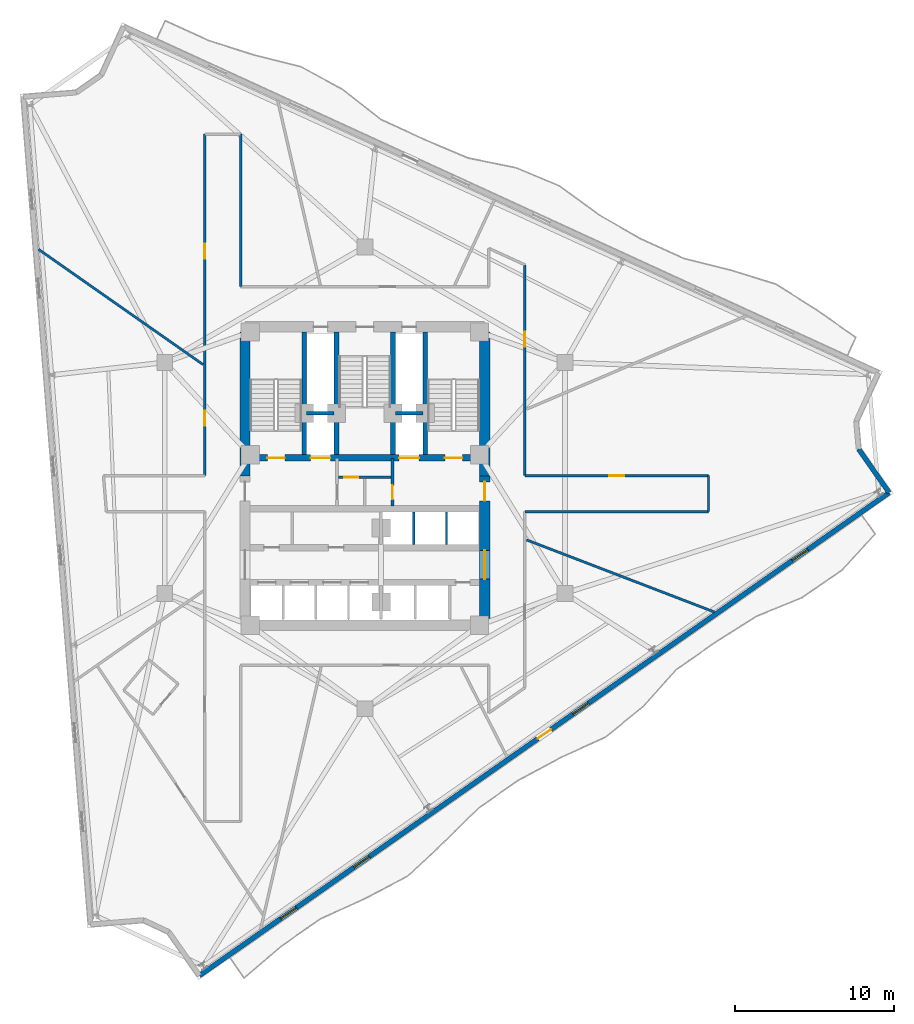
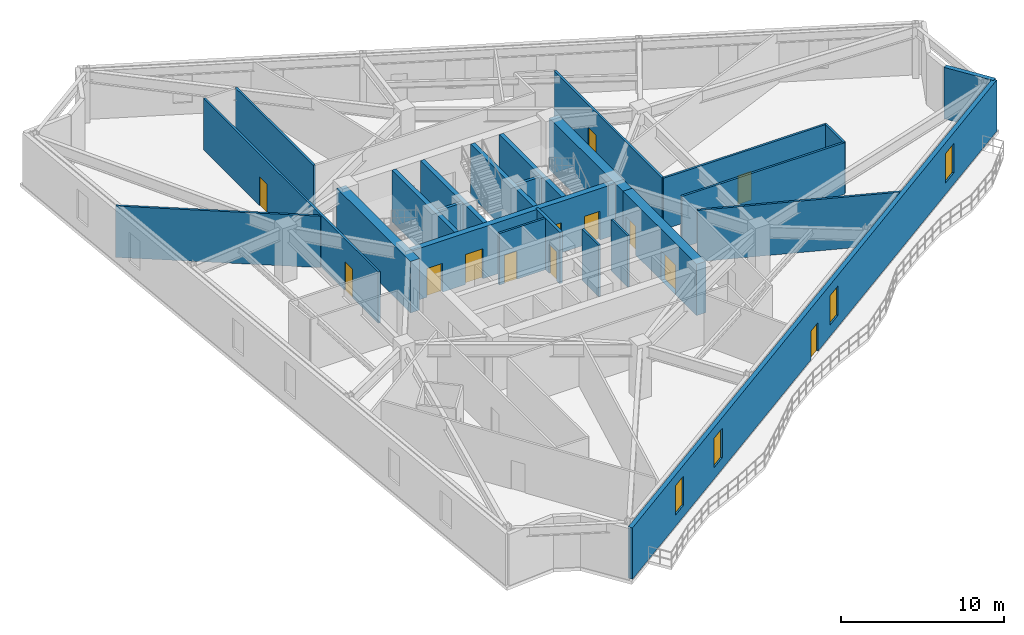
# One storey, part 6 of 10: 24 walls, 13 doors, 4 windows, 17 openings.
"""IFC4 building model written with IfcOpenShell, lengths in metres."""

from ifc_helpers import new_model, si_unit, direction, frame, frame_2d, origin, place, context, subcontext, project, spatial, rectangle, extrude, material, layer, layer_set, type_object, element, fill, save


model = new_model("IFC4")

# Units and contexts
model_context = context("Model", 3, precision=1e-05, world=origin(), true_north=direction((0.0, 1.0)))
body_context = subcontext(model_context, "Body", "Model", "MODEL_VIEW")
ifc_project = project(units=[si_unit("LENGTHUNIT", "METRE"), si_unit("AREAUNIT", "SQUARE_METRE"), si_unit("VOLUMEUNIT", "CUBIC_METRE"), si_unit("PLANEANGLEUNIT", "RADIAN"), si_unit("MASSUNIT", "GRAM", prefix="KILO")], contexts=[model_context])

# Site, building, storey
site_placement = place(None, origin())
site = spatial("IfcSite", under=ifc_project, at=site_placement, CompositionType="ELEMENT")
building_placement = place(site_placement, origin())
building = spatial("IfcBuilding", under=site, at=building_placement, Name="Apsidion Concourse Tower", CompositionType="ELEMENT")
storey_placement = place(building_placement, frame((0.0, 0.0, 210.60009765625)))
storey = spatial("IfcBuildingStorey", under=building, at=storey_placement, Name="L49", CompositionType="ELEMENT", Elevation=210.60009765625)

# Wall
ifc_material_1 = material(Name="Precast concrete C40/50", Category="concrete")
ifc_layer_1 = layer(ifc_material_1, 0.300048828125)
ifc_layer_set_1 = layer_set([ifc_layer_1], Name="Precast concrete C40/50")
wall_type_1 = type_object("IfcWallType", Name="WL-EXT-300", PredefinedType="STANDARD", material=ifc_layer_set_1)
wall_1_placement = place(storey_placement, frame((30.99951171875, 1.809814453125, 0.0), z_axis=(0.0, 0.0, 1.0), x_axis=(0.573550493689, -0.819170208925, 0.0)))
element("IfcWall", 1, at=wall_1_placement, inside=storey, type_object=wall_type_1, Name="L49 Precast Stone Facade Wall 04", PredefinedType="STANDARD", context=body_context, shape_type="SweptSolid", body=[
    extrude(rectangle(XDim=3.345703125, YDim=0.300048828125, at=frame_2d((1.6728515625, 0.0))), origin(), (0.0, 0.0, 1.0), 3.849853515625),
])

# Wall, openings, door, windows
wall_2_placement = place(storey_placement, frame((32.91845703125, -0.930908203125, 0.0), z_axis=(0.0, 0.0, 1.0), x_axis=(-0.819151415939, -0.573577333727, 0.0)))
wall_2 = element("IfcWall", 2, at=wall_2_placement, inside=storey, type_object=wall_type_1, Name="L49 Precast Stone Facade Wall 05", PredefinedType="STANDARD", context=body_context, shape_type="SweptSolid", body=[
    extrude(rectangle(XDim=52.862548828125, YDim=0.300048828125, at=frame_2d((26.43115234375, 0.0))), origin(), (0.0, 0.0, 1.0), 3.849853515625),
])
opening_1_placement = place(wall_2_placement, frame((25.931396484375, 0.0, 0.0)))
opening_1 = element("IfcOpeningElement", 3, at=opening_1_placement, cuts=wall_2, Name="Opening D-T1R", PredefinedType="OPENING", context=body_context, shape_type="SweptSolid", body=[
    extrude(rectangle(XDim=1.0, YDim=2.14990234375, at=frame_2d((0.5, 1.074951171875))), frame((0.0, 0.16015625, 0.0), z_axis=(0.0, -1.0, 0.0), x_axis=(1.0, 0.0, 0.0)), (0.0, 0.0, 1.0), 0.320068359375),
])
opening_2_placement = place(wall_2_placement, frame((6.231201171875, 0.0, 0.85009765625)))
opening_2 = element("IfcOpeningElement", 4, at=opening_2_placement, cuts=wall_2, Name="Opening WN-06", PredefinedType="OPENING", context=body_context, shape_type="SweptSolid", body=[
    extrude(rectangle(XDim=1.199951171875, YDim=2.199951171875, at=frame_2d((0.60009765625, 1.10009765625))), frame((0.0, 0.16015625, 0.0), z_axis=(0.0, -1.0, 0.0), x_axis=(1.0, 0.0, 0.0)), (0.0, 0.0, 1.0), 0.320068359375),
])
opening_3_placement = place(wall_2_placement, frame((23.03125, 0.0, 0.85009765625)))
opening_3 = element("IfcOpeningElement", 5, at=opening_3_placement, cuts=wall_2, Name="Opening WN-06", PredefinedType="OPENING", context=body_context, shape_type="SweptSolid", body=[
    extrude(rectangle(XDim=1.199951171875, YDim=2.199951171875, at=frame_2d((0.60009765625, 1.10009765625))), frame((0.0, 0.16015625, 0.0), z_axis=(0.0, -1.0, 0.0), x_axis=(1.0, 0.0, 0.0)), (0.0, 0.0, 1.0), 0.320068359375),
])
opening_4_placement = place(wall_2_placement, frame((39.831298828125, 0.0, 0.85009765625)))
opening_4 = element("IfcOpeningElement", 6, at=opening_4_placement, cuts=wall_2, Name="Opening WN-06", PredefinedType="OPENING", context=body_context, shape_type="SweptSolid", body=[
    extrude(rectangle(XDim=1.199951171875, YDim=2.199951171875, at=frame_2d((0.60009765625, 1.10009765625))), frame((0.0, 0.16015625, 0.0), z_axis=(0.0, -1.0, 0.0), x_axis=(1.0, 0.0, 0.0)), (0.0, 0.0, 1.0), 0.320068359375),
])
opening_5_placement = place(wall_2_placement, frame((45.431396484375, 0.0, 0.85009765625)))
opening_5 = element("IfcOpeningElement", 7, at=opening_5_placement, cuts=wall_2, Name="Opening WN-06", PredefinedType="OPENING", context=body_context, shape_type="SweptSolid", body=[
    extrude(rectangle(XDim=1.199951171875, YDim=2.199951171875, at=frame_2d((0.60009765625, 1.10009765625))), frame((0.0, 0.16015625, 0.0), z_axis=(0.0, -1.0, 0.0), x_axis=(1.0, 0.0, 0.0)), (0.0, 0.0, 1.0), 0.320068359375),
])
ifc_material_2 = material(Name="Anodised aluminium EN AW-6063 T6", Category="aluminium")
door_type_1 = type_object("IfcDoorType", Name="DR-TER-1022R", OperationType="SINGLE_SWING_RIGHT", PredefinedType="DOOR", material=ifc_material_2)
door_1_placement = place(opening_1_placement, origin())
door_1 = element("IfcDoor", 8, at=door_1_placement, inside=storey, type_object=door_type_1, Name="L49 Balcony Access Door 1", OperationType="SINGLE_SWING_RIGHT", OverallHeight=2.14990234375, OverallWidth=1.0, PredefinedType="DOOR", context=body_context, shape_type="SweptSolid", body=[
    extrude(rectangle(XDim=1.0, YDim=2.14990234375, at=frame_2d((0.5, 1.074951171875))), frame((0.0, 0.02490234375, 0.0), z_axis=(0.0, -1.0, 0.0), x_axis=(1.0, 0.0, 0.0)), (0.0, 0.0, 1.0), 0.050048828125),
])
fill(opening_1, door_1)
ifc_material_3 = material(Name="Insulated laminated low-E glass", Category="glass")
window_type = type_object("IfcWindowType", Name="WN-OFF-1224", PartitioningType="SINGLE_PANEL", PredefinedType="WINDOW", material=ifc_material_3)
window_1_placement = place(opening_2_placement, origin())
window_1 = element("IfcWindow", 9, at=window_1_placement, inside=storey, type_object=window_type, Name="L49 Punched Facade Window 5-01", OverallHeight=2.199951171875, OverallWidth=1.199951171875, PartitioningType="SINGLE_PANEL", PredefinedType="WINDOW", context=body_context, shape_type="SweptSolid", body=[
    extrude(rectangle(XDim=1.199951171875, YDim=2.199951171875, at=frame_2d((0.60009765625, 1.10009765625))), frame((0.0, 0.030029296875, 0.0), z_axis=(0.0, -1.0, 0.0), x_axis=(1.0, 0.0, 0.0)), (0.0, 0.0, 1.0), 0.06005859375),
])
fill(opening_2, window_1)
window_2_placement = place(opening_3_placement, origin())
window_2 = element("IfcWindow", 10, at=window_2_placement, inside=storey, type_object=window_type, Name="L49 Punched Facade Window 5-04", OverallHeight=2.199951171875, OverallWidth=1.199951171875, PartitioningType="SINGLE_PANEL", PredefinedType="WINDOW", context=body_context, shape_type="SweptSolid", body=[
    extrude(rectangle(XDim=1.199951171875, YDim=2.199951171875, at=frame_2d((0.60009765625, 1.10009765625))), frame((0.0, 0.030029296875, 0.0), z_axis=(0.0, -1.0, 0.0), x_axis=(1.0, 0.0, 0.0)), (0.0, 0.0, 1.0), 0.06005859375),
])
fill(opening_3, window_2)
window_3_placement = place(opening_4_placement, origin())
window_3 = element("IfcWindow", 11, at=window_3_placement, inside=storey, type_object=window_type, Name="L49 Punched Facade Window 5-07", OverallHeight=2.199951171875, OverallWidth=1.199951171875, PartitioningType="SINGLE_PANEL", PredefinedType="WINDOW", context=body_context, shape_type="SweptSolid", body=[
    extrude(rectangle(XDim=1.199951171875, YDim=2.199951171875, at=frame_2d((0.60009765625, 1.10009765625))), frame((0.0, 0.030029296875, 0.0), z_axis=(0.0, -1.0, 0.0), x_axis=(1.0, 0.0, 0.0)), (0.0, 0.0, 1.0), 0.06005859375),
])
fill(opening_4, window_3)
window_4_placement = place(opening_5_placement, origin())
window_4 = element("IfcWindow", 12, at=window_4_placement, inside=storey, type_object=window_type, Name="L49 Punched Facade Window 5-08", OverallHeight=2.199951171875, OverallWidth=1.199951171875, PartitioningType="SINGLE_PANEL", PredefinedType="WINDOW", context=body_context, shape_type="SweptSolid", body=[
    extrude(rectangle(XDim=1.199951171875, YDim=2.199951171875, at=frame_2d((0.60009765625, 1.10009765625))), frame((0.0, 0.030029296875, 0.0), z_axis=(0.0, -1.0, 0.0), x_axis=(1.0, 0.0, 0.0)), (0.0, 0.0, 1.0), 0.06005859375),
])
fill(opening_5, window_4)

# Walls
ifc_material_4 = material(Name="Gypsum plasterboard partition")
ifc_layer_2 = layer(ifc_material_4, 0.14990234375)
ifc_layer_set_2 = layer_set([ifc_layer_2], Name="Gypsum plasterboard partition")
wall_type_2 = type_object("IfcWallType", Name="WL-INT-PAR-150", PredefinedType="PARTITIONING", material=ifc_layer_set_2)
for number, where, z_axis, x_axis, name in (
    (13, (3.074951171875, -4.179931640625, 0.0), (0.0, 0.0, 1.0), (0.0, 1.0, 0.0), "L49 Interior Partition WL-L49-B3DIV-1"),
    (14, (5.125, -4.179931640625, 0.0), (0.0, 0.0, 1.0), (0.0, 1.0, 0.0), "L49 Interior Partition WL-L49-B3DIV-2"),
):
    element("IfcWall", number, at=place(storey_placement, frame(where, z_axis=z_axis, x_axis=x_axis)), inside=storey, type_object=wall_type_2, Name=name, PredefinedType="PARTITIONING", context=body_context, shape_type="SweptSolid", body=[
        extrude(rectangle(XDim=2.030029296875, YDim=0.14990234375, at=frame_2d((1.01513671875, 0.0))), origin(), (0.0, 0.0, 1.0), 3.849853515625),
    ])

# Wall, opening, door
wall_3_placement = place(storey_placement, frame((-1.639892578125, 0.0400390625, 0.0), z_axis=(0.0, 0.0, 1.0), x_axis=(1.0, 0.0, 0.0)))
wall_3 = element("IfcWall", 15, at=wall_3_placement, inside=storey, type_object=wall_type_2, Name="L49 Interior Partition WL-L49-K4H", PredefinedType="PARTITIONING", context=body_context, shape_type="SweptSolid", body=[
    extrude(rectangle(XDim=3.27978515625, YDim=0.14990234375, at=frame_2d((1.639892578125, 0.0))), origin(), (0.0, 0.0, 1.0), 3.849853515625),
])
opening_6_placement = place(wall_3_placement, frame((0.360107421875, 0.0, 0.0)))
opening_6 = element("IfcOpeningElement", 16, at=opening_6_placement, cuts=wall_3, Name="Opening D-03L", PredefinedType="OPENING", context=body_context, shape_type="SweptSolid", body=[
    extrude(rectangle(XDim=0.8798828125, YDim=2.10009765625, at=frame_2d((0.43994140625, 1.050048828125))), frame((0.0, 0.0849609375, 0.0), z_axis=(0.0, -1.0, 0.0), x_axis=(1.0, 0.0, 0.0)), (0.0, 0.0, 1.0), 0.169921875),
])
door_type_2 = type_object("IfcDoorType", Name="DR-INT-D03L", OperationType="SINGLE_SWING_LEFT", PredefinedType="DOOR", material=ifc_material_2)
door_2_placement = place(opening_6_placement, origin())
door_2 = element("IfcDoor", 17, at=door_2_placement, inside=storey, type_object=door_type_2, Name="L49 Core Telecoms Door", OperationType="SINGLE_SWING_LEFT", OverallHeight=2.10009765625, OverallWidth=0.8798828125, PredefinedType="DOOR", context=body_context, shape_type="SweptSolid", body=[
    extrude(rectangle(XDim=0.8798828125, YDim=2.10009765625, at=frame_2d((0.43994140625, 1.050048828125))), frame((0.0, 0.02490234375, 0.0), z_axis=(0.0, -1.0, 0.0), x_axis=(1.0, 0.0, 0.0)), (0.0, 0.0, 1.0), 0.050048828125),
])
fill(opening_6, door_2)

# Wall, openings, doors
wall_4_placement = place(storey_placement, frame((-10.050048828125, 0.1298828125, 0.0), z_axis=(0.0, 0.0, 1.0), x_axis=(0.0, 1.0, 0.0)))
wall_4 = element("IfcWall", 18, at=wall_4_placement, inside=storey, type_object=wall_type_2, Name="L49 Interior Partition WL-L49-CORR-10", PredefinedType="PARTITIONING", context=body_context, shape_type="SweptSolid", body=[
    extrude(rectangle(XDim=21.4501953125, YDim=0.14990234375, at=frame_2d((10.72509765625, 0.0))), origin(), (0.0, 0.0, 1.0), 3.849853515625),
])
opening_7_placement = place(wall_4_placement, frame((13.61328125, 0.0, 0.0)))
opening_7 = element("IfcOpeningElement", 19, at=opening_7_placement, cuts=wall_4, Name="Opening D-01L", PredefinedType="OPENING", context=body_context, shape_type="SweptSolid", body=[
    extrude(rectangle(XDim=0.949951171875, YDim=2.14990234375, at=frame_2d((0.47509765625, 1.074951171875))), frame((0.0, 0.0849609375, 0.0), z_axis=(0.0, -1.0, 0.0), x_axis=(1.0, 0.0, 0.0)), (0.0, 0.0, 1.0), 0.169921875),
])
opening_8_placement = place(wall_4_placement, frame((3.139404296875, 0.0, 0.0)))
opening_8 = element("IfcOpeningElement", 20, at=opening_8_placement, cuts=wall_4, Name="Opening D-01R", PredefinedType="OPENING", context=body_context, shape_type="SweptSolid", body=[
    extrude(rectangle(XDim=0.949951171875, YDim=2.14990234375, at=frame_2d((0.47509765625, 1.074951171875))), frame((0.0, 0.0849609375, 0.0), z_axis=(0.0, -1.0, 0.0), x_axis=(1.0, 0.0, 0.0)), (0.0, 0.0, 1.0), 0.169921875),
])
ifc_material_5 = material(Name="Brushed stainless steel 316", Category="steel")
door_type_3 = type_object("IfcDoorType", Name="DR-INT-D01L", OperationType="SINGLE_SWING_LEFT", PredefinedType="DOOR", material=ifc_material_5)
door_3_placement = place(opening_7_placement, origin())
door_3 = element("IfcDoor", 21, at=door_3_placement, inside=storey, type_object=door_type_3, Name="L49 Corridor Entry Door 07", OperationType="SINGLE_SWING_LEFT", OverallHeight=2.14990234375, OverallWidth=0.949951171875, PredefinedType="DOOR", context=body_context, shape_type="SweptSolid", body=[
    extrude(rectangle(XDim=0.949951171875, YDim=2.14990234375, at=frame_2d((0.47509765625, 1.074951171875))), frame((0.0, 0.02490234375, 0.0), z_axis=(0.0, -1.0, 0.0), x_axis=(1.0, 0.0, 0.0)), (0.0, 0.0, 1.0), 0.050048828125),
])
fill(opening_7, door_3)
door_type_4 = type_object("IfcDoorType", Name="DR-INT-D01R", OperationType="SINGLE_SWING_RIGHT", PredefinedType="DOOR", material=ifc_material_5)
door_4_placement = place(opening_8_placement, origin())
door_4 = element("IfcDoor", 22, at=door_4_placement, inside=storey, type_object=door_type_4, Name="L49 Corridor Entry Door 08", OperationType="SINGLE_SWING_RIGHT", OverallHeight=2.14990234375, OverallWidth=0.949951171875, PredefinedType="DOOR", context=body_context, shape_type="SweptSolid", body=[
    extrude(rectangle(XDim=0.949951171875, YDim=2.14990234375, at=frame_2d((0.47509765625, 1.074951171875))), frame((0.0, 0.02490234375, 0.0), z_axis=(0.0, -1.0, 0.0), x_axis=(1.0, 0.0, 0.0)), (0.0, 0.0, 1.0), 0.050048828125),
])
fill(opening_8, door_4)

# Wall
wall_5_placement = place(storey_placement, frame((-7.7900390625, 21.580078125, 0.0), z_axis=(0.0, 0.0, 1.0), x_axis=(0.0, -1.0, 0.0)))
element("IfcWall", 23, at=wall_5_placement, inside=storey, type_object=wall_type_2, Name="L49 Interior Partition WL-L49-CORR-12", PredefinedType="PARTITIONING", context=body_context, shape_type="SweptSolid", body=[
    extrude(rectangle(XDim=9.580078125, YDim=0.14990234375, at=frame_2d((4.7900390625, 0.0))), origin(), (0.0, 0.0, 1.0), 3.849853515625),
])

# Wall, opening, door
wall_6_placement = place(storey_placement, frame((10.050048828125, 13.370849609375, 0.0), z_axis=(0.0, 0.0, 1.0), x_axis=(0.0, -1.0, 0.0)))
wall_6 = element("IfcWall", 24, at=wall_6_placement, inside=storey, type_object=wall_type_2, Name="L49 Interior Partition WL-L49-CORR-16", PredefinedType="PARTITIONING", context=body_context, shape_type="SweptSolid", body=[
    extrude(rectangle(XDim=13.240966796875, YDim=0.14990234375, at=frame_2d((6.62060546875, 0.0))), origin(), (0.0, 0.0, 1.0), 3.849853515625),
])
opening_9_placement = place(wall_6_placement, frame((4.1845703125, 0.0, 0.0)))
opening_9 = element("IfcOpeningElement", 25, at=opening_9_placement, cuts=wall_6, Name="Opening D-01L", PredefinedType="OPENING", context=body_context, shape_type="SweptSolid", body=[
    extrude(rectangle(XDim=0.949951171875, YDim=2.14990234375, at=frame_2d((0.47509765625, 1.074951171875))), frame((0.0, 0.0849609375, 0.0), z_axis=(0.0, -1.0, 0.0), x_axis=(1.0, 0.0, 0.0)), (0.0, 0.0, 1.0), 0.169921875),
])
door_5_placement = place(opening_9_placement, origin())
door_5 = element("IfcDoor", 26, at=door_5_placement, inside=storey, type_object=door_type_3, Name="L49 Corridor Entry Door 05", OperationType="SINGLE_SWING_LEFT", OverallHeight=2.14990234375, OverallWidth=0.949951171875, PredefinedType="DOOR", context=body_context, shape_type="SweptSolid", body=[
    extrude(rectangle(XDim=0.949951171875, YDim=2.14990234375, at=frame_2d((0.47509765625, 1.074951171875))), frame((0.0, 0.02490234375, 0.0), z_axis=(0.0, -1.0, 0.0), x_axis=(1.0, 0.0, 0.0)), (0.0, 0.0, 1.0), 0.050048828125),
])
fill(opening_9, door_5)

wall_7_placement = place(storey_placement, frame((10.050048828125, 0.1298828125, 0.0), z_axis=(0.0, 0.0, 1.0), x_axis=(1.0, 0.0, 0.0)))
wall_7 = element("IfcWall", 27, at=wall_7_placement, inside=storey, type_object=wall_type_2, Name="L49 Interior Partition WL-L49-CORR-17", PredefinedType="PARTITIONING", context=body_context, shape_type="SweptSolid", body=[
    extrude(rectangle(XDim=11.530029296875, YDim=0.14990234375, at=frame_2d((5.76513671875, 0.0))), origin(), (0.0, 0.0, 1.0), 3.849853515625),
])
opening_10_placement = place(wall_7_placement, frame((5.2900390625, 0.0, 0.0)))
opening_10 = element("IfcOpeningElement", 28, at=opening_10_placement, cuts=wall_7, Name="Opening D-01R", PredefinedType="OPENING", context=body_context, shape_type="SweptSolid", body=[
    extrude(rectangle(XDim=0.949951171875, YDim=2.14990234375, at=frame_2d((0.47509765625, 1.074951171875))), frame((0.0, 0.0849609375, 0.0), z_axis=(0.0, -1.0, 0.0), x_axis=(1.0, 0.0, 0.0)), (0.0, 0.0, 1.0), 0.169921875),
])
door_6_placement = place(opening_10_placement, origin())
door_6 = element("IfcDoor", 29, at=door_6_placement, inside=storey, type_object=door_type_4, Name="L49 Corridor Entry Door 04", OperationType="SINGLE_SWING_RIGHT", OverallHeight=2.14990234375, OverallWidth=0.949951171875, PredefinedType="DOOR", context=body_context, shape_type="SweptSolid", body=[
    extrude(rectangle(XDim=0.949951171875, YDim=2.14990234375, at=frame_2d((0.47509765625, 1.074951171875))), frame((0.0, 0.02490234375, 0.0), z_axis=(0.0, -1.0, 0.0), x_axis=(1.0, 0.0, 0.0)), (0.0, 0.0, 1.0), 0.050048828125),
])
fill(opening_10, door_6)

# Walls
wall_8_placement = place(storey_placement, frame((21.580078125, 0.1298828125, 0.0), z_axis=(0.0, 0.0, 1.0), x_axis=(0.0, -1.0, 0.0)))
element("IfcWall", 30, at=wall_8_placement, inside=storey, type_object=wall_type_2, Name="L49 Interior Partition WL-L49-CORR-18", PredefinedType="PARTITIONING", context=body_context, shape_type="SweptSolid", body=[
    extrude(rectangle(XDim=2.259765625, YDim=0.14990234375, at=frame_2d((1.1298828125, 0.0))), origin(), (0.0, 0.0, 1.0), 3.849853515625),
])
wall_9_placement = place(storey_placement, frame((21.580078125, -2.1298828125, 0.0), z_axis=(0.0, 0.0, 1.0), x_axis=(-1.0, 0.0, 0.0)))
element("IfcWall", 31, at=wall_9_placement, inside=storey, type_object=wall_type_2, Name="L49 Interior Partition WL-L49-CORR-19", PredefinedType="PARTITIONING", context=body_context, shape_type="SweptSolid", body=[
    extrude(rectangle(XDim=11.530029296875, YDim=0.14990234375, at=frame_2d((5.76513671875, 0.0))), origin(), (0.0, 0.0, 1.0), 3.849853515625),
])
wall_10_placement = place(storey_placement, frame((-10.155029296875, 7.110595703125, 0.0), z_axis=(0.0, 0.0, 1.0), x_axis=(-0.819150109619, 0.573579199336, 0.0)))
element("IfcWall", 32, at=wall_10_placement, inside=storey, type_object=wall_type_2, Name="L49 Interior Partition WL-L49-RAD-04-1", PredefinedType="PARTITIONING", context=body_context, shape_type="SweptSolid", body=[
    extrude(rectangle(XDim=12.619140625, YDim=0.14990234375, at=frame_2d((6.3095703125, 0.0))), origin(), (0.0, 0.0, 1.0), 3.849853515625),
])
wall_11_placement = place(storey_placement, frame((10.155029296875, -3.898193359375, 0.0), z_axis=(0.0, 0.0, 1.0), x_axis=(0.933579284308, -0.358370925037, 0.0)))
element("IfcWall", 33, at=wall_11_placement, inside=storey, type_object=wall_type_2, Name="L49 Interior Partition WL-L49-RAD-09-1", PredefinedType="PARTITIONING", context=body_context, shape_type="SweptSolid", body=[
    extrude(rectangle(XDim=12.6181640625, YDim=0.14990234375, at=frame_2d((6.30908203125, 0.0))), origin(), (0.0, 0.0, 1.0), 3.849853515625),
])
ifc_layer_3 = layer(ifc_material_4, 0.199951171875)
ifc_layer_set_3 = layer_set([ifc_layer_3], Name="Gypsum plasterboard partition")
wall_type_3 = type_object("IfcWallType", Name="WL-INT-PAR-200", PredefinedType="PARTITIONING", material=ifc_layer_set_3)
for number, where, z_axis, x_axis, name in (
    (34, (-3.64990234375, 4.050048828125, 0.0), (0.0, 0.0, 1.0), (1.0, 0.0, 0.0), "L49 Interior Partition WL-L49-FF1-N"),
    (35, (1.919921875, 4.050048828125, 0.0), (0.0, 0.0, 1.0), (1.0, 0.0, 0.0), "L49 Interior Partition WL-L49-FF2-N"),
):
    element("IfcWall", number, at=place(storey_placement, frame(where, z_axis=z_axis, x_axis=x_axis)), inside=storey, type_object=wall_type_3, Name=name, PredefinedType="PARTITIONING", context=body_context, shape_type="SweptSolid", body=[
        extrude(rectangle(XDim=1.72998046875, YDim=0.199951171875, at=frame_2d((0.864990234375, 0.0))), origin(), (0.0, 0.0, 1.0), 3.849853515625),
    ])

# Wall, opening, door
wall_12_placement = place(storey_placement, frame((1.739990234375, -1.780029296875, 0.0), z_axis=(0.0, 0.0, 1.0), x_axis=(0.0, 1.0, 0.0)))
wall_12 = element("IfcWall", 36, at=wall_12_placement, inside=storey, type_object=wall_type_3, Name="L49 Interior Partition WL-L49-FF2-W", PredefinedType="PARTITIONING", context=body_context, shape_type="SweptSolid", body=[
    extrude(rectangle(XDim=2.97998046875, YDim=0.199951171875, at=frame_2d((1.489990234375, 0.0))), origin(), (0.0, 0.0, 1.0), 3.849853515625),
])
opening_11_placement = place(wall_12_placement, frame((0.419921875, 0.0, 0.0)))
opening_11 = element("IfcOpeningElement", 37, at=opening_11_placement, cuts=wall_12, Name="Opening D-05L", PredefinedType="OPENING", context=body_context, shape_type="SweptSolid", body=[
    extrude(rectangle(XDim=0.8798828125, YDim=2.14990234375, at=frame_2d((0.43994140625, 1.074951171875))), frame((0.0, 0.10986328125, 0.0), z_axis=(0.0, -1.0, 0.0), x_axis=(1.0, 0.0, 0.0)), (0.0, 0.0, 1.0), 0.219970703125),
])
door_type_5 = type_object("IfcDoorType", Name="DR-INT-D05L", OperationType="SINGLE_SWING_LEFT", PredefinedType="DOOR", material=ifc_material_5)
door_7_placement = place(opening_11_placement, origin())
door_7 = element("IfcDoor", 38, at=door_7_placement, inside=storey, type_object=door_type_5, Name="L49 Core First Aid Door", OperationType="SINGLE_SWING_LEFT", OverallHeight=2.14990234375, OverallWidth=0.8798828125, PredefinedType="DOOR", context=body_context, shape_type="SweptSolid", body=[
    extrude(rectangle(XDim=0.8798828125, YDim=2.14990234375, at=frame_2d((0.43994140625, 1.074951171875))), frame((0.0, 0.02490234375, 0.0), z_axis=(0.0, -1.0, 0.0), x_axis=(1.0, 0.0, 0.0)), (0.0, 0.0, 1.0), 0.050048828125),
])
fill(opening_11, door_7)

# Walls
ifc_material_6 = material(Name="Concrete C50/60", Category="concrete")
ifc_layer_4 = layer(ifc_material_6, 0.300048828125)
ifc_layer_set_4 = layer_set([ifc_layer_4], Name="Concrete C50/60")
wall_type_4 = type_object("IfcWallType", Name="WL-SH-300", PredefinedType="SHEAR", material=ifc_layer_set_4)
for number, where, z_axis, x_axis, name in (
    (39, (-3.800048828125, 1.449951171875, 0.0), (0.0, 0.0, 1.0), (0.0, 1.0, 0.0), "L49 Central Core Shear Wall V1"),
    (40, (-1.77490234375, 1.449951171875, 0.0), (0.0, 0.0, 1.0), (0.0, 1.0, 0.0), "L49 Central Core Shear Wall V2"),
    (41, (1.77490234375, 1.449951171875, 0.0), (0.0, 0.0, 1.0), (0.0, 1.0, 0.0), "L49 Central Core Shear Wall V3"),
    (42, (3.800048828125, 1.449951171875, 0.0), (0.0, 0.0, 1.0), (0.0, 1.0, 0.0), "L49 Central Core Shear Wall V4"),
):
    element("IfcWall", number, at=place(storey_placement, frame(where, z_axis=z_axis, x_axis=x_axis)), inside=storey, type_object=wall_type_4, Name=name, PredefinedType="SHEAR", context=body_context, shape_type="SweptSolid", body=[
        extrude(rectangle(XDim=7.699951171875, YDim=0.300048828125, at=frame_2d((3.85009765625, 0.0))), origin(), (0.0, 0.0, 1.0), 3.849853515625),
    ])

# Wall, openings, doors
ifc_layer_5 = layer(ifc_material_6, 0.39990234375)
ifc_layer_set_5 = layer_set([ifc_layer_5], Name="Concrete C50/60")
wall_type_5 = type_object("IfcWallType", Name="WL-SH-400", PredefinedType="SHEAR", material=ifc_layer_set_5)
wall_13_placement = place(storey_placement, frame((-7.199951171875, 1.25, 0.0), z_axis=(0.0, 0.0, 1.0), x_axis=(1.0, 0.0, 0.0)))
wall_13 = element("IfcWall", 43, at=wall_13_placement, inside=storey, type_object=wall_type_5, Name="L49 Central Core Shear Wall M1", PredefinedType="SHEAR", context=body_context, shape_type="SweptSolid", body=[
    extrude(rectangle(XDim=14.39990234375, YDim=0.39990234375, at=frame_2d((7.199951171875, 0.0))), origin(), (0.0, 0.0, 1.0), 3.849853515625),
])
opening_12_placement = place(wall_13_placement, frame((3.794921875, 0.0, 0.0)))
opening_12 = element("IfcOpeningElement", 44, at=opening_12_placement, cuts=wall_13, Name="Opening LD-FF", PredefinedType="OPENING", context=body_context, shape_type="SweptSolid", body=[
    extrude(rectangle(XDim=1.25, YDim=2.25, at=frame_2d((0.625, 1.125))), frame((0.0, 0.2099609375, 0.0), z_axis=(0.0, -1.0, 0.0), x_axis=(1.0, 0.0, 0.0)), (0.0, 0.0, 1.0), 0.419921875),
])
opening_13_placement = place(wall_13_placement, frame((9.35498046875, 0.0, 0.0)))
opening_13 = element("IfcOpeningElement", 45, at=opening_13_placement, cuts=wall_13, Name="Opening LD-FF", PredefinedType="OPENING", context=body_context, shape_type="SweptSolid", body=[
    extrude(rectangle(XDim=1.25, YDim=2.25, at=frame_2d((0.625, 1.125))), frame((0.0, 0.2099609375, 0.0), z_axis=(0.0, -1.0, 0.0), x_axis=(1.0, 0.0, 0.0)), (0.0, 0.0, 1.0), 0.419921875),
])
opening_14_placement = place(wall_13_placement, frame((1.074951171875, 0.0, 0.0)))
opening_14 = element("IfcOpeningElement", 46, at=opening_14_placement, cuts=wall_13, Name="Opening D-STL", PredefinedType="OPENING", context=body_context, shape_type="SweptSolid", body=[
    extrude(rectangle(XDim=1.10009765625, YDim=2.14990234375, at=frame_2d((0.550048828125, 1.074951171875))), frame((0.0, 0.2099609375, 0.0), z_axis=(0.0, -1.0, 0.0), x_axis=(1.0, 0.0, 0.0)), (0.0, 0.0, 1.0), 0.419921875),
])
opening_15_placement = place(wall_13_placement, frame((12.22509765625, 0.0, 0.0)))
opening_15 = element("IfcOpeningElement", 47, at=opening_15_placement, cuts=wall_13, Name="Opening D-STR", PredefinedType="OPENING", context=body_context, shape_type="SweptSolid", body=[
    extrude(rectangle(XDim=1.10009765625, YDim=2.14990234375, at=frame_2d((0.550048828125, 1.074951171875))), frame((0.0, 0.2099609375, 0.0), z_axis=(0.0, -1.0, 0.0), x_axis=(1.0, 0.0, 0.0)), (0.0, 0.0, 1.0), 0.419921875),
])
door_type_6 = type_object("IfcDoorType", Name="DR-INT-ST1L", OperationType="SINGLE_SWING_LEFT", PredefinedType="DOOR", material=ifc_material_5)
door_8_placement = place(opening_14_placement, origin())
door_8 = element("IfcDoor", 48, at=door_8_placement, inside=storey, type_object=door_type_6, Name="L49 Core Exit Stair ST1 Door", OperationType="SINGLE_SWING_LEFT", OverallHeight=2.14990234375, OverallWidth=1.10009765625, PredefinedType="DOOR", context=body_context, shape_type="SweptSolid", body=[
    extrude(rectangle(XDim=1.10009765625, YDim=2.14990234375, at=frame_2d((0.550048828125, 1.074951171875))), frame((0.0, 0.02490234375, 0.0), z_axis=(0.0, -1.0, 0.0), x_axis=(1.0, 0.0, 0.0)), (0.0, 0.0, 1.0), 0.050048828125),
])
fill(opening_14, door_8)
door_type_7 = type_object("IfcDoorType", Name="DR-INT-ST1R", OperationType="SINGLE_SWING_RIGHT", PredefinedType="DOOR", material=ifc_material_5)
door_9_placement = place(opening_15_placement, origin())
door_9 = element("IfcDoor", 49, at=door_9_placement, inside=storey, type_object=door_type_7, Name="L49 Core Exit Stair ST2 Door", OperationType="SINGLE_SWING_RIGHT", OverallHeight=2.14990234375, OverallWidth=1.10009765625, PredefinedType="DOOR", context=body_context, shape_type="SweptSolid", body=[
    extrude(rectangle(XDim=1.10009765625, YDim=2.14990234375, at=frame_2d((0.550048828125, 1.074951171875))), frame((0.0, 0.02490234375, 0.0), z_axis=(0.0, -1.0, 0.0), x_axis=(1.0, 0.0, 0.0)), (0.0, 0.0, 1.0), 0.050048828125),
])
fill(opening_15, door_9)
door_type_8 = type_object("IfcDoorType", Name="DR-LD-FSAE", OperationType="DOUBLE_DOOR_SLIDING", PredefinedType="DOOR", material=ifc_material_5)
door_10_placement = place(opening_12_placement, origin())
door_10 = element("IfcDoor", 50, at=door_10_placement, inside=storey, type_object=door_type_8, Name="L49 Lift Landing Door FF1", OperationType="DOUBLE_DOOR_SLIDING", OverallHeight=2.25, OverallWidth=1.25, PredefinedType="DOOR", context=body_context, shape_type="SweptSolid", body=[
    extrude(rectangle(XDim=1.25, YDim=2.25, at=frame_2d((0.625, 1.125))), frame((0.0, 0.02490234375, 0.0), z_axis=(0.0, -1.0, 0.0), x_axis=(1.0, 0.0, 0.0)), (0.0, 0.0, 1.0), 0.050048828125),
])
fill(opening_12, door_10)
door_11_placement = place(opening_13_placement, origin())
door_11 = element("IfcDoor", 51, at=door_11_placement, inside=storey, type_object=door_type_8, Name="L49 Lift Landing Door FF2", OperationType="DOUBLE_DOOR_SLIDING", OverallHeight=2.25, OverallWidth=1.25, PredefinedType="DOOR", context=body_context, shape_type="SweptSolid", body=[
    extrude(rectangle(XDim=1.25, YDim=2.25, at=frame_2d((0.625, 1.125))), frame((0.0, 0.02490234375, 0.0), z_axis=(0.0, -1.0, 0.0), x_axis=(1.0, 0.0, 0.0)), (0.0, 0.0, 1.0), 0.050048828125),
])
fill(opening_13, door_11)

# Walls
ifc_layer_6 = layer(ifc_material_6, 0.64990234375)
ifc_layer_set_6 = layer_set([ifc_layer_6], Name="Concrete C50/60")
wall_type_6 = type_object("IfcWallType", Name="WL-SH-650", PredefinedType="SHEAR", material=ifc_layer_set_6)
for number, where, z_axis, x_axis, name in (
    (52, (-7.52490234375, 0.10009765625, 0.0), (0.0, 0.0, 1.0), (0.0, 1.0, 0.0), "L49 Central Core Shear Wall WN"),
    (53, (7.52490234375, 0.10009765625, 0.0), (0.0, 0.0, 1.0), (0.0, 1.0, 0.0), "L49 Central Core Shear Wall EN"),
):
    element("IfcWall", number, at=place(storey_placement, frame(where, z_axis=z_axis, x_axis=x_axis)), inside=storey, type_object=wall_type_6, Name=name, PredefinedType="SHEAR", context=body_context, shape_type="SweptSolid", body=[
        extrude(rectangle(XDim=9.0498046875, YDim=0.64990234375, at=frame_2d((4.52490234375, 0.0))), origin(), (0.0, 0.0, 1.0), 3.849853515625),
    ])

# Wall, openings, doors
wall_14_placement = place(storey_placement, frame((7.52490234375, -8.925048828125, 0.0), z_axis=(0.0, 0.0, 1.0), x_axis=(0.0, 1.0, 0.0)))
wall_14 = element("IfcWall", 54, at=wall_14_placement, inside=storey, type_object=wall_type_6, Name="L49 Central Core Shear Wall ES", PredefinedType="SHEAR", context=body_context, shape_type="SweptSolid", body=[
    extrude(rectangle(XDim=9.025146484375, YDim=0.64990234375, at=frame_2d((4.5126953125, 0.0))), origin(), (0.0, 0.0, 1.0), 3.849853515625),
])
opening_16_placement = place(wall_14_placement, frame((2.56494140625, 0.0, 0.0)))
opening_16 = element("IfcOpeningElement", 55, at=opening_16_placement, cuts=wall_14, Name="Opening D-06D", PredefinedType="OPENING", context=body_context, shape_type="SweptSolid", body=[
    extrude(rectangle(XDim=1.800048828125, YDim=2.199951171875, at=frame_2d((0.89990234375, 1.10009765625))), frame((0.0, 0.3349609375, 0.0), z_axis=(0.0, -1.0, 0.0), x_axis=(1.0, 0.0, 0.0)), (0.0, 0.0, 1.0), 0.669921875),
])
opening_17_placement = place(wall_14_placement, frame((7.47509765625, 0.0, 0.0)))
opening_17 = element("IfcOpeningElement", 56, at=opening_17_placement, cuts=wall_14, Name="Opening D-FFR", PredefinedType="OPENING", context=body_context, shape_type="SweptSolid", body=[
    extrude(rectangle(XDim=1.199951171875, YDim=2.14990234375, at=frame_2d((0.60009765625, 1.074951171875))), frame((0.0, 0.3349609375, 0.0), z_axis=(0.0, -1.0, 0.0), x_axis=(1.0, 0.0, 0.0)), (0.0, 0.0, 1.0), 0.669921875),
])
door_type_9 = type_object("IfcDoorType", Name="DR-INT-D06D", OperationType="DOUBLE_DOOR_SINGLE_SWING", PredefinedType="DOOR", material=ifc_material_5)
door_12_placement = place(opening_16_placement, origin())
door_12 = element("IfcDoor", 57, at=door_12_placement, inside=storey, type_object=door_type_9, Name="L49 Passenger Lift Lobby ES Portal Door", OperationType="DOUBLE_DOOR_SINGLE_SWING", OverallHeight=2.199951171875, OverallWidth=1.800048828125, PredefinedType="DOOR", context=body_context, shape_type="SweptSolid", body=[
    extrude(rectangle(XDim=1.800048828125, YDim=2.199951171875, at=frame_2d((0.89990234375, 1.10009765625))), frame((0.0, 0.02490234375, 0.0), z_axis=(0.0, -1.0, 0.0), x_axis=(1.0, 0.0, 0.0)), (0.0, 0.0, 1.0), 0.050048828125),
])
fill(opening_16, door_12)
door_type_10 = type_object("IfcDoorType", Name="DR-INT-FFR", OperationType="SINGLE_SWING_RIGHT", PredefinedType="DOOR", material=ifc_material_5)
door_13_placement = place(opening_17_placement, origin())
door_13 = element("IfcDoor", 58, at=door_13_placement, inside=storey, type_object=door_type_10, Name="L49 Firefighting Lift Lobby FF2 Door", OperationType="SINGLE_SWING_RIGHT", OverallHeight=2.14990234375, OverallWidth=1.199951171875, PredefinedType="DOOR", context=body_context, shape_type="SweptSolid", body=[
    extrude(rectangle(XDim=1.199951171875, YDim=2.14990234375, at=frame_2d((0.60009765625, 1.074951171875))), frame((0.0, 0.02490234375, 0.0), z_axis=(0.0, -1.0, 0.0), x_axis=(1.0, 0.0, 0.0)), (0.0, 0.0, 1.0), 0.050048828125),
])
fill(opening_17, door_13)

save(model, "model.ifc")
